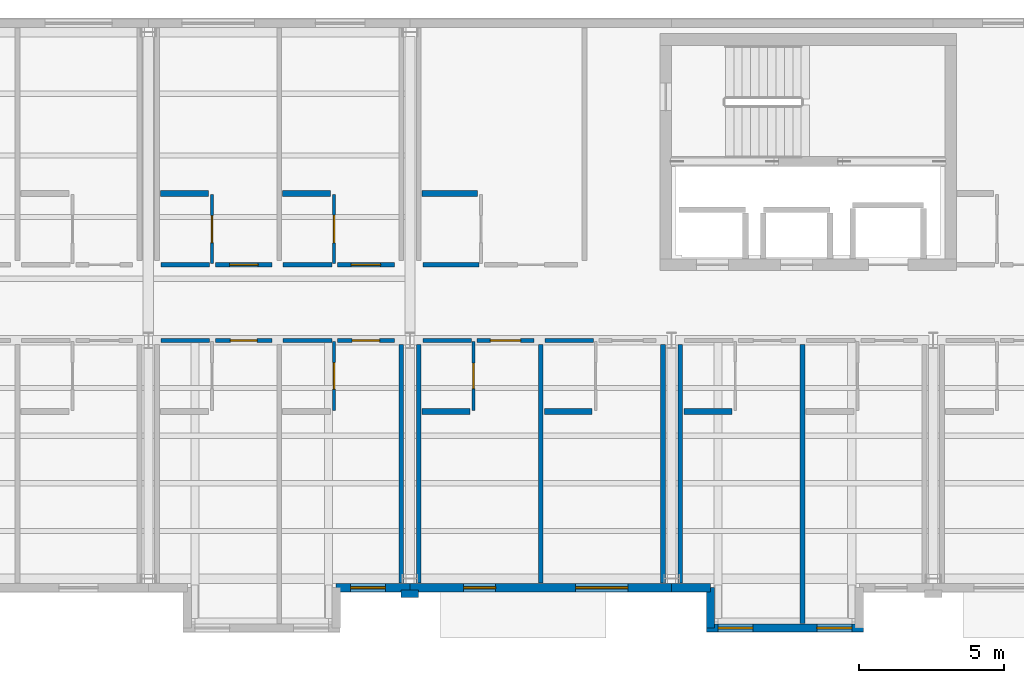
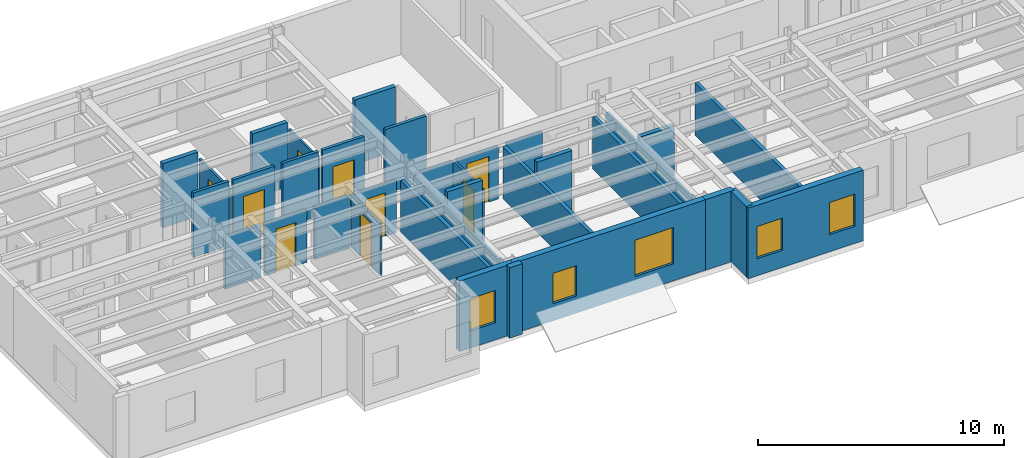
# One storey, part 8 of 19: 34 walls, 9 doors, 5 windows, 14 openings.
"""IFC4 building model written with IfcOpenShell, lengths in metres."""

from ifc_helpers import new_model, si_unit, direction, frame, frame_2d, origin, place, context, subcontext, project, spatial, rectangle, extrude, material, layer, layer_set, type_object, element, fill, save


model = new_model("IFC4")

# Units and contexts
model_context = context("Model", 3, precision=1e-05, world=origin(), true_north=direction((0.0, 1.0)))
body_context = subcontext(model_context, "Body", "Model", "MODEL_VIEW")
ifc_project = project(units=[si_unit("LENGTHUNIT", "METRE"), si_unit("AREAUNIT", "SQUARE_METRE"), si_unit("VOLUMEUNIT", "CUBIC_METRE"), si_unit("PLANEANGLEUNIT", "RADIAN"), si_unit("MASSUNIT", "GRAM", prefix="KILO")], contexts=[model_context])

# Site, building, storey
site_placement = place(None, origin())
site = spatial("IfcSite", under=ifc_project, at=site_placement, CompositionType="ELEMENT")
building_placement = place(site_placement, origin())
building = spatial("IfcBuilding", under=site, at=building_placement, Name="Sollismere Congress Hotel", CompositionType="ELEMENT")
storey_placement = place(building_placement, frame((0.0, 0.0, 34.10009765625)))
storey = spatial("IfcBuildingStorey", under=building, at=storey_placement, Name="L08", CompositionType="ELEMENT", Elevation=34.10009765625)

# Wall, opening, window
ifc_material_1 = material(Name="Colorado Buff Sandstone Rainscreen on Insulated Backup", Category="masonry")
ifc_layer_1 = layer(ifc_material_1, 0.284912109375, Name="Colorado Buff Sandstone Rainscreen on Insulated Backup")
ifc_layer_set_1 = layer_set([ifc_layer_1], Name="Colorado Buff Sandstone Rainscreen on Insulated Backup")
wall_type_1 = type_object("IfcWallType", Name="WL-EXT285", PredefinedType="STANDARD", material=ifc_layer_set_1)
wall_1_placement = place(storey_placement, frame((82.4599609375, -0.31005859375, 0.0), z_axis=(0.0, 0.0, 1.0), x_axis=(1.0, 0.0, 0.0)))
wall_1 = element("IfcWall", 1, at=wall_1_placement, inside=storey, type_object=wall_type_1, Name="Exterior wall EW-L08-814", PredefinedType="STANDARD", context=body_context, shape_type="SweptSolid", body=[
    extrude(rectangle(XDim=2.5400390625, YDim=0.284912109375, at=frame_2d((1.27001953125, 0.0))), origin(), (0.0, 0.0, 1.0), 3.5),
])
opening_1_placement = place(wall_1_placement, frame((0.4951171875, 0.0, 0.85009765625)))
opening_1 = element("IfcOpeningElement", 2, at=opening_1_placement, cuts=wall_1, Name="Opening W-L08-591", PredefinedType="OPENING", context=body_context, shape_type="SweptSolid", body=[
    extrude(rectangle(XDim=1.199951171875, YDim=1.60009765625, at=frame_2d((0.60009765625, 0.800048828125))), frame((0.0, 0.15234375, 0.0), z_axis=(0.0, -1.0, 0.0), x_axis=(1.0, 0.0, 0.0)), (0.0, 0.0, 1.0), 0.304931640625),
])
ifc_material_2 = material(Name="Thermally Broken Bronze Aluminum & Low-E Glass", Category="aluminium")
window_type_1 = type_object("IfcWindowType", Name="WN-P120x160", PartitioningType="SINGLE_PANEL", PredefinedType="WINDOW", material=ifc_material_2)
window_1_placement = place(opening_1_placement, origin())
window_1 = element("IfcWindow", 3, at=window_1_placement, inside=storey, type_object=window_type_1, Name="WIN-W-L08-591", OverallHeight=1.60009765625, OverallWidth=1.199951171875, PartitioningType="SINGLE_PANEL", PredefinedType="WINDOW", context=body_context, shape_type="SweptSolid", body=[
    extrude(rectangle(XDim=1.199951171875, YDim=1.60009765625, at=frame_2d((0.60009765625, 0.800048828125))), frame((0.0, 0.030029296875, 0.0), z_axis=(0.0, -1.0, 0.0), x_axis=(1.0, 0.0, 0.0)), (0.0, 0.0, 1.0), 0.06005859375),
])
fill(opening_1, window_1)

# Wall, openings, windows
wall_2_placement = place(storey_placement, frame((85.0, -0.31005859375, 0.0), z_axis=(0.0, 0.0, 1.0), x_axis=(1.0, 0.0, 0.0)))
wall_2 = element("IfcWall", 4, at=wall_2_placement, inside=storey, type_object=wall_type_1, Name="Exterior wall EW-L08-818", PredefinedType="STANDARD", context=body_context, shape_type="SweptSolid", body=[
    extrude(rectangle(XDim=9.0, YDim=0.284912109375, at=frame_2d((4.5, 0.0))), origin(), (0.0, 0.0, 1.0), 3.5),
])
opening_2_placement = place(wall_2_placement, frame((1.85009765625, 0.0, 0.85009765625)))
opening_2 = element("IfcOpeningElement", 5, at=opening_2_placement, cuts=wall_2, Name="Opening W-L08-594", PredefinedType="OPENING", context=body_context, shape_type="SweptSolid", body=[
    extrude(rectangle(XDim=1.10009765625, YDim=1.5, at=frame_2d((0.550048828125, 0.75))), frame((0.0, 0.15234375, 0.0), z_axis=(0.0, -1.0, 0.0), x_axis=(1.0, 0.0, 0.0)), (0.0, 0.0, 1.0), 0.304931640625),
])
opening_3_placement = place(wall_2_placement, frame((5.699951171875, 0.0, 0.85009765625)))
opening_3 = element("IfcOpeningElement", 6, at=opening_3_placement, cuts=wall_2, Name="Opening W-L08-595", PredefinedType="OPENING", context=body_context, shape_type="SweptSolid", body=[
    extrude(rectangle(XDim=1.800048828125, YDim=1.800048828125, at=frame_2d((0.89990234375, 0.89990234375))), frame((0.0, 0.15234375, 0.0), z_axis=(0.0, -1.0, 0.0), x_axis=(1.0, 0.0, 0.0)), (0.0, 0.0, 1.0), 0.304931640625),
])
window_type_2 = type_object("IfcWindowType", Name="WN-P110x150", PartitioningType="SINGLE_PANEL", PredefinedType="WINDOW", material=ifc_material_2)
window_2_placement = place(opening_2_placement, origin())
window_2 = element("IfcWindow", 7, at=window_2_placement, inside=storey, type_object=window_type_2, Name="WIN-W-L08-594", OverallHeight=1.5, OverallWidth=1.10009765625, PartitioningType="SINGLE_PANEL", PredefinedType="WINDOW", context=body_context, shape_type="SweptSolid", body=[
    extrude(rectangle(XDim=1.10009765625, YDim=1.5, at=frame_2d((0.550048828125, 0.75))), frame((0.0, 0.030029296875, 0.0), z_axis=(0.0, -1.0, 0.0), x_axis=(1.0, 0.0, 0.0)), (0.0, 0.0, 1.0), 0.06005859375),
])
fill(opening_2, window_2)
window_type_3 = type_object("IfcWindowType", Name="WN-P180x180", PartitioningType="SINGLE_PANEL", PredefinedType="WINDOW", material=ifc_material_2)
window_3_placement = place(opening_3_placement, origin())
window_3 = element("IfcWindow", 8, at=window_3_placement, inside=storey, type_object=window_type_3, Name="WIN-W-L08-595", OverallHeight=1.800048828125, OverallWidth=1.800048828125, PartitioningType="SINGLE_PANEL", PredefinedType="WINDOW", context=body_context, shape_type="SweptSolid", body=[
    extrude(rectangle(XDim=1.800048828125, YDim=1.800048828125, at=frame_2d((0.89990234375, 0.89990234375))), frame((0.0, 0.030029296875, 0.0), z_axis=(0.0, -1.0, 0.0), x_axis=(1.0, 0.0, 0.0)), (0.0, 0.0, 1.0), 0.06005859375),
])
fill(opening_3, window_3)

# Wall
wall_3_placement = place(storey_placement, frame((94.0, -0.31005859375, 0.0), z_axis=(0.0, 0.0, 1.0), x_axis=(1.0, 0.0, 0.0)))
element("IfcWall", 9, at=wall_3_placement, inside=storey, type_object=wall_type_1, Name="Exterior wall EW-L08-820", PredefinedType="STANDARD", context=body_context, shape_type="SweptSolid", body=[
    extrude(rectangle(XDim=1.340087890625, YDim=0.284912109375, at=frame_2d((0.669921875, 0.0))), origin(), (0.0, 0.0, 1.0), 3.5),
])

# Wall, openings, windows
wall_4_placement = place(storey_placement, frame((95.199951171875, -1.699951171875, 0.0), z_axis=(0.0, 0.0, 1.0), x_axis=(1.0, 0.0, 0.0)))
wall_4 = element("IfcWall", 10, at=wall_4_placement, inside=storey, type_object=wall_type_1, Name="Exterior wall EW-L08-822", PredefinedType="STANDARD", context=body_context, shape_type="SweptSolid", body=[
    extrude(rectangle(XDim=5.400146484375, YDim=0.284912109375, at=frame_2d((2.7001953125, 0.0))), origin(), (0.0, 0.0, 1.0), 3.5),
])
opening_4_placement = place(wall_4_placement, frame((0.39990234375, 0.0, 0.85009765625)))
opening_4 = element("IfcOpeningElement", 11, at=opening_4_placement, cuts=wall_4, Name="Opening W-L08-597", PredefinedType="OPENING", context=body_context, shape_type="SweptSolid", body=[
    extrude(rectangle(XDim=1.199951171875, YDim=1.60009765625, at=frame_2d((0.60009765625, 0.800048828125))), frame((0.0, 0.15234375, 0.0), z_axis=(0.0, -1.0, 0.0), x_axis=(1.0, 0.0, 0.0)), (0.0, 0.0, 1.0), 0.304931640625),
])
opening_5_placement = place(wall_4_placement, frame((3.800048828125, 0.0, 0.85009765625)))
opening_5 = element("IfcOpeningElement", 12, at=opening_5_placement, cuts=wall_4, Name="Opening W-L08-598", PredefinedType="OPENING", context=body_context, shape_type="SweptSolid", body=[
    extrude(rectangle(XDim=1.199951171875, YDim=1.60009765625, at=frame_2d((0.60009765625, 0.800048828125))), frame((0.0, 0.15234375, 0.0), z_axis=(0.0, -1.0, 0.0), x_axis=(1.0, 0.0, 0.0)), (0.0, 0.0, 1.0), 0.304931640625),
])
window_4_placement = place(opening_4_placement, origin())
window_4 = element("IfcWindow", 13, at=window_4_placement, inside=storey, type_object=window_type_1, Name="WIN-W-L08-597", OverallHeight=1.60009765625, OverallWidth=1.199951171875, PartitioningType="SINGLE_PANEL", PredefinedType="WINDOW", context=body_context, shape_type="SweptSolid", body=[
    extrude(rectangle(XDim=1.199951171875, YDim=1.60009765625, at=frame_2d((0.60009765625, 0.800048828125))), frame((0.0, 0.030029296875, 0.0), z_axis=(0.0, -1.0, 0.0), x_axis=(1.0, 0.0, 0.0)), (0.0, 0.0, 1.0), 0.06005859375),
])
fill(opening_4, window_4)
window_5_placement = place(opening_5_placement, origin())
window_5 = element("IfcWindow", 14, at=window_5_placement, inside=storey, type_object=window_type_1, Name="WIN-W-L08-598", OverallHeight=1.60009765625, OverallWidth=1.199951171875, PartitioningType="SINGLE_PANEL", PredefinedType="WINDOW", context=body_context, shape_type="SweptSolid", body=[
    extrude(rectangle(XDim=1.199951171875, YDim=1.60009765625, at=frame_2d((0.60009765625, 0.800048828125))), frame((0.0, 0.030029296875, 0.0), z_axis=(0.0, -1.0, 0.0), x_axis=(1.0, 0.0, 0.0)), (0.0, 0.0, 1.0), 0.06005859375),
])
fill(opening_5, window_5)

# Walls
wall_5_placement = place(storey_placement, frame((95.340087890625, -0.31005859375, 0.0), z_axis=(0.0, 0.0, 1.0), x_axis=(0.0, -1.0, 0.0)))
element("IfcWall", 15, at=wall_5_placement, inside=storey, type_object=wall_type_1, Name="Exterior wall EW-L08-823", PredefinedType="STANDARD", context=body_context, shape_type="SweptSolid", body=[
    extrude(rectangle(XDim=1.389892578125, YDim=0.284912109375, at=frame_2d((0.69482421875, 0.0))), origin(), (0.0, 0.0, 1.0), 3.5),
])
ifc_material_3 = material(Name="Carved Travertine Pilaster & Frieze Assembly", Category="masonry")
ifc_layer_2 = layer(ifc_material_3, 0.260009765625, Name="Carved Travertine Pilaster & Frieze Assembly")
ifc_layer_set_2 = layer_set([ifc_layer_2], Name="Carved Travertine Pilaster & Frieze Assembly")
wall_type_2 = type_object("IfcWallType", Name="WL-PIL280", PredefinedType="ELEMENTEDWALL", material=ifc_layer_set_2)
wall_6_placement = place(storey_placement, frame((84.699951171875, -0.52001953125, 0.0), z_axis=(0.0, 0.0, 1.0), x_axis=(1.0, 0.0, 0.0)))
element("IfcWall", 16, at=wall_6_placement, inside=storey, type_object=wall_type_2, Name="Exterior wall EW-L08-819", PredefinedType="ELEMENTEDWALL", context=body_context, shape_type="SweptSolid", body=[
    extrude(rectangle(XDim=0.60009765625, YDim=0.260009765625, at=frame_2d((0.300048828125, 0.0))), origin(), (0.0, 0.0, 1.0), 3.5),
])
ifc_material_4 = material(Name="Moisture-Resistant Shaft Gypsum Assembly")
ifc_layer_3 = layer(ifc_material_4, 0.199951171875, Name="Moisture-Resistant Shaft Gypsum Assembly")
ifc_layer_set_3 = layer_set([ifc_layer_3], Name="Moisture-Resistant Shaft Gypsum Assembly")
wall_type_3 = type_object("IfcWallType", Name="WL-PLM200", PredefinedType="PLUMBINGWALL", material=ifc_layer_set_3)
wall_7_placement = place(storey_placement, frame((76.419921875, 13.25, 0.0), z_axis=(0.0, 0.0, 1.0), x_axis=(1.0, 0.0, 0.0)))
element("IfcWall", 17, at=wall_7_placement, inside=storey, type_object=wall_type_3, Name="Interior wall IW-L08-2429", PredefinedType="PLUMBINGWALL", context=body_context, shape_type="SweptSolid", body=[
    extrude(rectangle(XDim=1.650146484375, YDim=0.199951171875, at=frame_2d((0.8251953125, 0.0))), origin(), (0.0, 0.0, 1.0), 3.18994140625),
])
wall_8_placement = place(storey_placement, frame((80.6201171875, 13.25, 0.0), z_axis=(0.0, 0.0, 1.0), x_axis=(1.0, 0.0, 0.0)))
element("IfcWall", 18, at=wall_8_placement, inside=storey, type_object=wall_type_3, Name="Interior wall IW-L08-2434", PredefinedType="PLUMBINGWALL", context=body_context, shape_type="SweptSolid", body=[
    extrude(rectangle(XDim=1.64990234375, YDim=0.199951171875, at=frame_2d((0.824951171875, 0.0))), origin(), (0.0, 0.0, 1.0), 3.18994140625),
])
wall_9_placement = place(storey_placement, frame((85.419921875, 5.75, 0.0), z_axis=(0.0, 0.0, 1.0), x_axis=(1.0, 0.0, 0.0)))
element("IfcWall", 19, at=wall_9_placement, inside=storey, type_object=wall_type_3, Name="Interior wall IW-L08-2440", PredefinedType="PLUMBINGWALL", context=body_context, shape_type="SweptSolid", body=[
    extrude(rectangle(XDim=1.650146484375, YDim=0.199951171875, at=frame_2d((0.8251953125, 0.0))), origin(), (0.0, 0.0, 1.0), 3.18994140625),
])
wall_10_placement = place(storey_placement, frame((89.6201171875, 5.75, 0.0), z_axis=(0.0, 0.0, 1.0), x_axis=(1.0, 0.0, 0.0)))
element("IfcWall", 20, at=wall_10_placement, inside=storey, type_object=wall_type_3, Name="Interior wall IW-L08-2445", PredefinedType="PLUMBINGWALL", context=body_context, shape_type="SweptSolid", body=[
    extrude(rectangle(XDim=1.64990234375, YDim=0.199951171875, at=frame_2d((0.824951171875, 0.0))), origin(), (0.0, 0.0, 1.0), 3.18994140625),
])
wall_11_placement = place(storey_placement, frame((85.419921875, 13.25, 0.0), z_axis=(0.0, 0.0, 1.0), x_axis=(1.0, 0.0, 0.0)))
element("IfcWall", 21, at=wall_11_placement, inside=storey, type_object=wall_type_3, Name="Interior wall IW-L08-2451", PredefinedType="PLUMBINGWALL", context=body_context, shape_type="SweptSolid", body=[
    extrude(rectangle(XDim=1.91015625, YDim=0.199951171875, at=frame_2d((0.955078125, 0.0))), origin(), (0.0, 0.0, 1.0), 3.18994140625),
])
wall_12_placement = place(storey_placement, frame((94.419921875, 5.75, 0.0), z_axis=(0.0, 0.0, 1.0), x_axis=(1.0, 0.0, 0.0)))
element("IfcWall", 22, at=wall_12_placement, inside=storey, type_object=wall_type_3, Name="Interior wall IW-L08-2457", PredefinedType="PLUMBINGWALL", context=body_context, shape_type="SweptSolid", body=[
    extrude(rectangle(XDim=1.650146484375, YDim=0.199951171875, at=frame_2d((0.8251953125, 0.0))), origin(), (0.0, 0.0, 1.0), 2.742919921875),
])

# Wall, opening, door
ifc_material_5 = material(Name="Moisture-Resistant Gypsum Partition")
ifc_layer_4 = layer(ifc_material_5, 0.10009765625, Name="Moisture-Resistant Gypsum Partition")
ifc_layer_set_4 = layer_set([ifc_layer_4], Name="Moisture-Resistant Gypsum Partition")
wall_type_4 = type_object("IfcWallType", Name="WL-PRT100", PredefinedType="PARTITIONING", material=ifc_layer_set_4)
wall_13_placement = place(storey_placement, frame((82.389892578125, 5.7900390625, 0.0), z_axis=(0.0, 0.0, 1.0), x_axis=(0.0, 1.0, 0.0)))
wall_13 = element("IfcWall", 23, at=wall_13_placement, inside=storey, type_object=wall_type_4, Name="Interior wall IW-L08-2422", PredefinedType="PARTITIONING", context=body_context, shape_type="SweptSolid", body=[
    extrude(rectangle(XDim=2.369873046875, YDim=0.10009765625, at=frame_2d((1.18505859375, 0.0))), origin(), (0.0, 0.0, 1.0), 2.602783203125),
])
opening_6_placement = place(wall_13_placement, frame((0.73291015625, 0.0, 0.0)))
opening_6 = element("IfcOpeningElement", 24, at=opening_6_placement, cuts=wall_13, Name="Opening D-L08-0855", PredefinedType="OPENING", context=body_context, shape_type="SweptSolid", body=[
    extrude(rectangle(XDim=0.905029296875, YDim=2.179931640625, at=frame_2d((0.45263671875, 1.08984375))), frame((0.0, 0.06005859375, 0.0), z_axis=(0.0, -1.0, 0.0), x_axis=(1.0, 0.0, 0.0)), (0.0, 0.0, 1.0), 0.1201171875),
])
ifc_material_6 = material(Name="Moisture-Sealed Timber Bathroom Door", Category="wood")
door_type_1 = type_object("IfcDoorType", Name="DR-BT06", OperationType="NOTDEFINED", PredefinedType="DOOR", material=ifc_material_6)
door_1_placement = place(opening_6_placement, origin())
door_1 = element("IfcDoor", 25, at=door_1_placement, inside=storey, type_object=door_type_1, Name="En-suite bathroom door D-L08-0855", OperationType="SINGLE_SWING_RIGHT", OverallHeight=2.179931640625, OverallWidth=0.905029296875, PredefinedType="DOOR", context=body_context, shape_type="SweptSolid", body=[
    extrude(rectangle(XDim=0.905029296875, YDim=2.179931640625, at=frame_2d((0.45263671875, 1.08984375))), frame((0.0, 0.02490234375, 0.0), z_axis=(0.0, -1.0, 0.0), x_axis=(1.0, 0.0, 0.0)), (0.0, 0.0, 1.0), 0.050048828125),
])
fill(opening_6, door_1)

wall_14_placement = place(storey_placement, frame((78.18994140625, 10.840087890625, 0.0), z_axis=(0.0, 0.0, 1.0), x_axis=(0.0, 1.0, 0.0)))
wall_14 = element("IfcWall", 26, at=wall_14_placement, inside=storey, type_object=wall_type_4, Name="Interior wall IW-L08-2428", PredefinedType="PARTITIONING", context=body_context, shape_type="SweptSolid", body=[
    extrude(rectangle(XDim=2.369873046875, YDim=0.10009765625, at=frame_2d((1.18505859375, 0.0))), origin(), (0.0, 0.0, 1.0), 2.7978515625),
])
opening_7_placement = place(wall_14_placement, frame((0.719970703125, 0.0, 0.0)))
opening_7 = element("IfcOpeningElement", 27, at=opening_7_placement, cuts=wall_14, Name="Opening D-L08-0857", PredefinedType="OPENING", context=body_context, shape_type="SweptSolid", body=[
    extrude(rectangle(XDim=0.929931640625, YDim=2.219970703125, at=frame_2d((0.46484375, 1.10986328125))), frame((0.0, 0.06005859375, 0.0), z_axis=(0.0, -1.0, 0.0), x_axis=(1.0, 0.0, 0.0)), (0.0, 0.0, 1.0), 0.1201171875),
])
door_type_2 = type_object("IfcDoorType", Name="DR-BT07", OperationType="NOTDEFINED", PredefinedType="DOOR", material=ifc_material_6)
door_2_placement = place(opening_7_placement, origin())
door_2 = element("IfcDoor", 28, at=door_2_placement, inside=storey, type_object=door_type_2, Name="En-suite bathroom door D-L08-0857", OperationType="SINGLE_SWING_RIGHT", OverallHeight=2.219970703125, OverallWidth=0.929931640625, PredefinedType="DOOR", context=body_context, shape_type="SweptSolid", body=[
    extrude(rectangle(XDim=0.929931640625, YDim=2.219970703125, at=frame_2d((0.46484375, 1.10986328125))), frame((0.0, 0.02490234375, 0.0), z_axis=(0.0, -1.0, 0.0), x_axis=(1.0, 0.0, 0.0)), (0.0, 0.0, 1.0), 0.050048828125),
])
fill(opening_7, door_2)

wall_15_placement = place(storey_placement, frame((82.389892578125, 10.840087890625, 0.0), z_axis=(0.0, 0.0, 1.0), x_axis=(0.0, 1.0, 0.0)))
wall_15 = element("IfcWall", 29, at=wall_15_placement, inside=storey, type_object=wall_type_4, Name="Interior wall IW-L08-2433", PredefinedType="PARTITIONING", context=body_context, shape_type="SweptSolid", body=[
    extrude(rectangle(XDim=2.369873046875, YDim=0.10009765625, at=frame_2d((1.18505859375, 0.0))), origin(), (0.0, 0.0, 1.0), 2.7978515625),
])
opening_8_placement = place(wall_15_placement, frame((0.7080078125, 0.0, 0.0)))
opening_8 = element("IfcOpeningElement", 30, at=opening_8_placement, cuts=wall_15, Name="Opening D-L08-0859", PredefinedType="OPENING", context=body_context, shape_type="SweptSolid", body=[
    extrude(rectangle(XDim=0.955078125, YDim=2.219970703125, at=frame_2d((0.4775390625, 1.10986328125))), frame((0.0, 0.06005859375, 0.0), z_axis=(0.0, -1.0, 0.0), x_axis=(1.0, 0.0, 0.0)), (0.0, 0.0, 1.0), 0.1201171875),
])
door_type_3 = type_object("IfcDoorType", Name="DR-BT08", OperationType="NOTDEFINED", PredefinedType="DOOR", material=ifc_material_6)
door_3_placement = place(opening_8_placement, origin())
door_3 = element("IfcDoor", 31, at=door_3_placement, inside=storey, type_object=door_type_3, Name="En-suite bathroom door D-L08-0859", OperationType="SINGLE_SWING_RIGHT", OverallHeight=2.219970703125, OverallWidth=0.955078125, PredefinedType="DOOR", context=body_context, shape_type="SweptSolid", body=[
    extrude(rectangle(XDim=0.955078125, YDim=2.219970703125, at=frame_2d((0.4775390625, 1.10986328125))), frame((0.0, 0.02490234375, 0.0), z_axis=(0.0, -1.0, 0.0), x_axis=(1.0, 0.0, 0.0)), (0.0, 0.0, 1.0), 0.050048828125),
])
fill(opening_8, door_3)

wall_16_placement = place(storey_placement, frame((87.18994140625, 5.7900390625, 0.0), z_axis=(0.0, 0.0, 1.0), x_axis=(0.0, 1.0, 0.0)))
wall_16 = element("IfcWall", 32, at=wall_16_placement, inside=storey, type_object=wall_type_4, Name="Interior wall IW-L08-2439", PredefinedType="PARTITIONING", context=body_context, shape_type="SweptSolid", body=[
    extrude(rectangle(XDim=2.369873046875, YDim=0.10009765625, at=frame_2d((1.18505859375, 0.0))), origin(), (0.0, 0.0, 1.0), 2.602783203125),
])
opening_9_placement = place(wall_16_placement, frame((0.7451171875, 0.0, 0.0)))
opening_9 = element("IfcOpeningElement", 33, at=opening_9_placement, cuts=wall_16, Name="Opening D-L08-0861", PredefinedType="OPENING", context=body_context, shape_type="SweptSolid", body=[
    extrude(rectangle(XDim=0.8798828125, YDim=2.10009765625, at=frame_2d((0.43994140625, 1.050048828125))), frame((0.0, 0.06005859375, 0.0), z_axis=(0.0, -1.0, 0.0), x_axis=(1.0, 0.0, 0.0)), (0.0, 0.0, 1.0), 0.1201171875),
])
door_type_4 = type_object("IfcDoorType", Name="DR-BT01", OperationType="NOTDEFINED", PredefinedType="DOOR", material=ifc_material_6)
door_4_placement = place(opening_9_placement, origin())
door_4 = element("IfcDoor", 34, at=door_4_placement, inside=storey, type_object=door_type_4, Name="En-suite bathroom door D-L08-0861", OperationType="SINGLE_SWING_RIGHT", OverallHeight=2.10009765625, OverallWidth=0.8798828125, PredefinedType="DOOR", context=body_context, shape_type="SweptSolid", body=[
    extrude(rectangle(XDim=0.8798828125, YDim=2.10009765625, at=frame_2d((0.43994140625, 1.050048828125))), frame((0.0, 0.02490234375, 0.0), z_axis=(0.0, -1.0, 0.0), x_axis=(1.0, 0.0, 0.0)), (0.0, 0.0, 1.0), 0.050048828125),
])
fill(opening_9, door_4)

# Wall
ifc_material_7 = material(Name="Fire-Rated Gypsum Partition")
ifc_layer_5 = layer(ifc_material_7, 0.139892578125, Name="Fire-Rated Gypsum Partition")
ifc_layer_set_5 = layer_set([ifc_layer_5], Name="Fire-Rated Gypsum Partition")
wall_type_5 = type_object("IfcWallType", Name="WL-PRT140R", PredefinedType="PARTITIONING", material=ifc_layer_set_5)
wall_17_placement = place(storey_placement, frame((76.43994140625, 8.199951171875, 0.0), z_axis=(0.0, 0.0, 1.0), x_axis=(1.0, 0.0, 0.0)))
element("IfcWall", 35, at=wall_17_placement, inside=storey, type_object=wall_type_5, Name="Interior wall IW-L08-2413", PredefinedType="PARTITIONING", context=body_context, shape_type="SweptSolid", body=[
    extrude(rectangle(XDim=1.670166015625, YDim=0.139892578125, at=frame_2d((0.8349609375, 0.0))), origin(), (0.0, 0.0, 1.0), 2.602783203125),
])

# Wall, opening, door
wall_18_placement = place(storey_placement, frame((78.31005859375, 8.199951171875, 0.0), z_axis=(0.0, 0.0, 1.0), x_axis=(1.0, 0.0, 0.0)))
wall_18 = element("IfcWall", 36, at=wall_18_placement, inside=storey, type_object=wall_type_5, Name="Interior wall IW-L08-2414", PredefinedType="PARTITIONING", context=body_context, shape_type="SweptSolid", body=[
    extrude(rectangle(XDim=1.949951171875, YDim=0.139892578125, at=frame_2d((0.97509765625, 0.0))), origin(), (0.0, 0.0, 1.0), 2.602783203125),
])
opening_10_placement = place(wall_18_placement, frame((0.514892578125, 0.0, 0.0)))
opening_10 = element("IfcOpeningElement", 37, at=opening_10_placement, cuts=wall_18, Name="Opening D-L08-0852", PredefinedType="OPENING", context=body_context, shape_type="SweptSolid", body=[
    extrude(rectangle(XDim=0.919921875, YDim=2.14990234375, at=frame_2d((0.4599609375, 1.074951171875))), frame((0.0, 0.079833984375, 0.0), z_axis=(0.0, -1.0, 0.0), x_axis=(1.0, 0.0, 0.0)), (0.0, 0.0, 1.0), 0.159912109375),
])
ifc_material_8 = material(Name="Solid-Core Acoustic Walnut Guestroom Entry Door")
door_type_5 = type_object("IfcDoorType", Name="DR-KY01", OperationType="NOTDEFINED", PredefinedType="DOOR", material=ifc_material_8)
door_5_placement = place(opening_10_placement, origin())
door_5 = element("IfcDoor", 38, at=door_5_placement, inside=storey, type_object=door_type_5, Name="Hotel room entry door D-L08-0852", OperationType="SINGLE_SWING_LEFT", OverallHeight=2.14990234375, OverallWidth=0.919921875, PredefinedType="DOOR", context=body_context, shape_type="SweptSolid", body=[
    extrude(rectangle(XDim=0.919921875, YDim=2.14990234375, at=frame_2d((0.4599609375, 1.074951171875))), frame((0.0, 0.02490234375, 0.0), z_axis=(0.0, -1.0, 0.0), x_axis=(1.0, 0.0, 0.0)), (0.0, 0.0, 1.0), 0.050048828125),
])
fill(opening_10, door_5)

# Wall
wall_19_placement = place(storey_placement, frame((80.639892578125, 8.199951171875, 0.0), z_axis=(0.0, 0.0, 1.0), x_axis=(1.0, 0.0, 0.0)))
element("IfcWall", 39, at=wall_19_placement, inside=storey, type_object=wall_type_5, Name="Interior wall IW-L08-2419", PredefinedType="PARTITIONING", context=body_context, shape_type="SweptSolid", body=[
    extrude(rectangle(XDim=1.670166015625, YDim=0.139892578125, at=frame_2d((0.8349609375, 0.0))), origin(), (0.0, 0.0, 1.0), 2.602783203125),
])

# Wall, opening, door
wall_20_placement = place(storey_placement, frame((82.510009765625, 8.199951171875, 0.0), z_axis=(0.0, 0.0, 1.0), x_axis=(1.0, 0.0, 0.0)))
wall_20 = element("IfcWall", 40, at=wall_20_placement, inside=storey, type_object=wall_type_5, Name="Interior wall IW-L08-2420", PredefinedType="PARTITIONING", context=body_context, shape_type="SweptSolid", body=[
    extrude(rectangle(XDim=1.949951171875, YDim=0.139892578125, at=frame_2d((0.97509765625, 0.0))), origin(), (0.0, 0.0, 1.0), 2.602783203125),
])
opening_11_placement = place(wall_20_placement, frame((0.5, 0.0, 0.0)))
opening_11 = element("IfcOpeningElement", 41, at=opening_11_placement, cuts=wall_20, Name="Opening D-L08-0854", PredefinedType="OPENING", context=body_context, shape_type="SweptSolid", body=[
    extrude(rectangle(XDim=0.949951171875, YDim=2.14990234375, at=frame_2d((0.47509765625, 1.074951171875))), frame((0.0, 0.079833984375, 0.0), z_axis=(0.0, -1.0, 0.0), x_axis=(1.0, 0.0, 0.0)), (0.0, 0.0, 1.0), 0.159912109375),
])
door_type_6 = type_object("IfcDoorType", Name="DR-KY02", OperationType="NOTDEFINED", PredefinedType="DOOR", material=ifc_material_8)
door_6_placement = place(opening_11_placement, origin())
door_6 = element("IfcDoor", 42, at=door_6_placement, inside=storey, type_object=door_type_6, Name="Hotel room entry door D-L08-0854", OperationType="SINGLE_SWING_LEFT", OverallHeight=2.14990234375, OverallWidth=0.949951171875, PredefinedType="DOOR", context=body_context, shape_type="SweptSolid", body=[
    extrude(rectangle(XDim=0.949951171875, YDim=2.14990234375, at=frame_2d((0.47509765625, 1.074951171875))), frame((0.0, 0.02490234375, 0.0), z_axis=(0.0, -1.0, 0.0), x_axis=(1.0, 0.0, 0.0)), (0.0, 0.0, 1.0), 0.050048828125),
])
fill(opening_11, door_6)

# Wall
wall_21_placement = place(storey_placement, frame((76.43994140625, 10.800048828125, 0.0), z_axis=(0.0, 0.0, 1.0), x_axis=(1.0, 0.0, 0.0)))
element("IfcWall", 43, at=wall_21_placement, inside=storey, type_object=wall_type_5, Name="Interior wall IW-L08-2424", PredefinedType="PARTITIONING", context=body_context, shape_type="SweptSolid", body=[
    extrude(rectangle(XDim=1.670166015625, YDim=0.139892578125, at=frame_2d((0.8349609375, 0.0))), origin(), (0.0, 0.0, 1.0), 3.18994140625),
])

# Wall, opening, door
wall_22_placement = place(storey_placement, frame((78.31005859375, 10.800048828125, 0.0), z_axis=(0.0, 0.0, 1.0), x_axis=(1.0, 0.0, 0.0)))
wall_22 = element("IfcWall", 44, at=wall_22_placement, inside=storey, type_object=wall_type_5, Name="Interior wall IW-L08-2425", PredefinedType="PARTITIONING", context=body_context, shape_type="SweptSolid", body=[
    extrude(rectangle(XDim=1.949951171875, YDim=0.139892578125, at=frame_2d((0.97509765625, 0.0))), origin(), (0.0, 0.0, 1.0), 3.18994140625),
])
opening_12_placement = place(wall_22_placement, frame((0.485107421875, 0.0, 0.0)))
opening_12 = element("IfcOpeningElement", 45, at=opening_12_placement, cuts=wall_22, Name="Opening D-L08-0856", PredefinedType="OPENING", context=body_context, shape_type="SweptSolid", body=[
    extrude(rectangle(XDim=0.97998046875, YDim=2.199951171875, at=frame_2d((0.489990234375, 1.10009765625))), frame((0.0, 0.079833984375, 0.0), z_axis=(0.0, -1.0, 0.0), x_axis=(1.0, 0.0, 0.0)), (0.0, 0.0, 1.0), 0.159912109375),
])
door_type_7 = type_object("IfcDoorType", Name="DR-KY03", OperationType="NOTDEFINED", PredefinedType="DOOR", material=ifc_material_8)
door_7_placement = place(opening_12_placement, origin())
door_7 = element("IfcDoor", 46, at=door_7_placement, inside=storey, type_object=door_type_7, Name="Hotel room entry door D-L08-0856", OperationType="SINGLE_SWING_LEFT", OverallHeight=2.199951171875, OverallWidth=0.97998046875, PredefinedType="DOOR", context=body_context, shape_type="SweptSolid", body=[
    extrude(rectangle(XDim=0.97998046875, YDim=2.199951171875, at=frame_2d((0.489990234375, 1.10009765625))), frame((0.0, 0.02490234375, 0.0), z_axis=(0.0, -1.0, 0.0), x_axis=(1.0, 0.0, 0.0)), (0.0, 0.0, 1.0), 0.050048828125),
])
fill(opening_12, door_7)

# Wall
wall_23_placement = place(storey_placement, frame((80.639892578125, 10.800048828125, 0.0), z_axis=(0.0, 0.0, 1.0), x_axis=(1.0, 0.0, 0.0)))
element("IfcWall", 47, at=wall_23_placement, inside=storey, type_object=wall_type_5, Name="Interior wall IW-L08-2430", PredefinedType="PARTITIONING", context=body_context, shape_type="SweptSolid", body=[
    extrude(rectangle(XDim=1.670166015625, YDim=0.139892578125, at=frame_2d((0.8349609375, 0.0))), origin(), (0.0, 0.0, 1.0), 3.18994140625),
])

# Wall, opening, door
wall_24_placement = place(storey_placement, frame((82.510009765625, 10.800048828125, 0.0), z_axis=(0.0, 0.0, 1.0), x_axis=(1.0, 0.0, 0.0)))
wall_24 = element("IfcWall", 48, at=wall_24_placement, inside=storey, type_object=wall_type_5, Name="Interior wall IW-L08-2431", PredefinedType="PARTITIONING", context=body_context, shape_type="SweptSolid", body=[
    extrude(rectangle(XDim=1.949951171875, YDim=0.139892578125, at=frame_2d((0.97509765625, 0.0))), origin(), (0.0, 0.0, 1.0), 3.18994140625),
])
opening_13_placement = place(wall_24_placement, frame((0.469970703125, 0.0, 0.0)))
opening_13 = element("IfcOpeningElement", 49, at=opening_13_placement, cuts=wall_24, Name="Opening D-L08-0858", PredefinedType="OPENING", context=body_context, shape_type="SweptSolid", body=[
    extrude(rectangle(XDim=1.010009765625, YDim=2.199951171875, at=frame_2d((0.5048828125, 1.10009765625))), frame((0.0, 0.079833984375, 0.0), z_axis=(0.0, -1.0, 0.0), x_axis=(1.0, 0.0, 0.0)), (0.0, 0.0, 1.0), 0.159912109375),
])
door_type_8 = type_object("IfcDoorType", Name="DR-KY04", OperationType="NOTDEFINED", PredefinedType="DOOR", material=ifc_material_8)
door_8_placement = place(opening_13_placement, origin())
door_8 = element("IfcDoor", 50, at=door_8_placement, inside=storey, type_object=door_type_8, Name="Hotel room entry door D-L08-0858", OperationType="SINGLE_SWING_LEFT", OverallHeight=2.199951171875, OverallWidth=1.010009765625, PredefinedType="DOOR", context=body_context, shape_type="SweptSolid", body=[
    extrude(rectangle(XDim=1.010009765625, YDim=2.199951171875, at=frame_2d((0.5048828125, 1.10009765625))), frame((0.0, 0.02490234375, 0.0), z_axis=(0.0, -1.0, 0.0), x_axis=(1.0, 0.0, 0.0)), (0.0, 0.0, 1.0), 0.050048828125),
])
fill(opening_13, door_8)

# Wall
wall_25_placement = place(storey_placement, frame((85.43994140625, 8.199951171875, 0.0), z_axis=(0.0, 0.0, 1.0), x_axis=(1.0, 0.0, 0.0)))
element("IfcWall", 51, at=wall_25_placement, inside=storey, type_object=wall_type_5, Name="Interior wall IW-L08-2435", PredefinedType="PARTITIONING", context=body_context, shape_type="SweptSolid", body=[
    extrude(rectangle(XDim=1.670166015625, YDim=0.139892578125, at=frame_2d((0.8349609375, 0.0))), origin(), (0.0, 0.0, 1.0), 2.602783203125),
])

# Wall, opening, door
wall_26_placement = place(storey_placement, frame((87.31005859375, 8.199951171875, 0.0), z_axis=(0.0, 0.0, 1.0), x_axis=(1.0, 0.0, 0.0)))
wall_26 = element("IfcWall", 52, at=wall_26_placement, inside=storey, type_object=wall_type_5, Name="Interior wall IW-L08-2436", PredefinedType="PARTITIONING", context=body_context, shape_type="SweptSolid", body=[
    extrude(rectangle(XDim=1.949951171875, YDim=0.139892578125, at=frame_2d((0.97509765625, 0.0))), origin(), (0.0, 0.0, 1.0), 2.602783203125),
])
opening_14_placement = place(wall_26_placement, frame((0.455078125, 0.0, 0.0)))
opening_14 = element("IfcOpeningElement", 53, at=opening_14_placement, cuts=wall_26, Name="Opening D-L08-0860", PredefinedType="OPENING", context=body_context, shape_type="SweptSolid", body=[
    extrude(rectangle(XDim=1.0400390625, YDim=2.25, at=frame_2d((0.52001953125, 1.125))), frame((0.0, 0.079833984375, 0.0), z_axis=(0.0, -1.0, 0.0), x_axis=(1.0, 0.0, 0.0)), (0.0, 0.0, 1.0), 0.159912109375),
])
door_type_9 = type_object("IfcDoorType", Name="DR-KY05", OperationType="NOTDEFINED", PredefinedType="DOOR", material=ifc_material_8)
door_9_placement = place(opening_14_placement, origin())
door_9 = element("IfcDoor", 54, at=door_9_placement, inside=storey, type_object=door_type_9, Name="Hotel room entry door D-L08-0860", OperationType="SINGLE_SWING_LEFT", OverallHeight=2.25, OverallWidth=1.0400390625, PredefinedType="DOOR", context=body_context, shape_type="SweptSolid", body=[
    extrude(rectangle(XDim=1.0400390625, YDim=2.25, at=frame_2d((0.52001953125, 1.125))), frame((0.0, 0.02490234375, 0.0), z_axis=(0.0, -1.0, 0.0), x_axis=(1.0, 0.0, 0.0)), (0.0, 0.0, 1.0), 0.050048828125),
])
fill(opening_14, door_9)

# Walls
wall_27_placement = place(storey_placement, frame((89.639892578125, 8.199951171875, 0.0), z_axis=(0.0, 0.0, 1.0), x_axis=(1.0, 0.0, 0.0)))
element("IfcWall", 55, at=wall_27_placement, inside=storey, type_object=wall_type_5, Name="Interior wall IW-L08-2441", PredefinedType="PARTITIONING", context=body_context, shape_type="SweptSolid", body=[
    extrude(rectangle(XDim=1.670166015625, YDim=0.139892578125, at=frame_2d((0.8349609375, 0.0))), origin(), (0.0, 0.0, 1.0), 2.602783203125),
])
wall_28_placement = place(storey_placement, frame((85.43994140625, 10.800048828125, 0.0), z_axis=(0.0, 0.0, 1.0), x_axis=(1.0, 0.0, 0.0)))
element("IfcWall", 56, at=wall_28_placement, inside=storey, type_object=wall_type_5, Name="Interior wall IW-L08-2446", PredefinedType="PARTITIONING", context=body_context, shape_type="SweptSolid", body=[
    extrude(rectangle(XDim=1.93017578125, YDim=0.139892578125, at=frame_2d((0.965087890625, 0.0))), origin(), (0.0, 0.0, 1.0), 3.18994140625),
])
ifc_material_9 = material(Name="Fire-Rated Acoustic Gypsum Partition")
ifc_layer_6 = layer(ifc_material_9, 0.1650390625, Name="Fire-Rated Acoustic Gypsum Partition")
ifc_layer_set_6 = layer_set([ifc_layer_6], Name="Fire-Rated Acoustic Gypsum Partition")
wall_type_6 = type_object("IfcWallType", Name="WL-PRT165R", PredefinedType="PARTITIONING", material=ifc_layer_set_6)
for number, where, z_axis, x_axis, name in (
    (57, (84.699951171875, -0.152587890625, 0.0), (0.0, 0.0, 1.0), (0.0, 1.0, 0.0), "Interior wall IW-L08-2421"),
    (58, (85.300048828125, -0.152587890625, 0.0), (0.0, 0.0, 1.0), (0.0, 1.0, 0.0), "Interior wall IW-L08-2437"),
    (59, (89.5, -0.152587890625, 0.0), (0.0, 0.0, 1.0), (0.0, 1.0, 0.0), "Interior wall IW-L08-2438"),
    (60, (93.699951171875, -0.152587890625, 0.0), (0.0, 0.0, 1.0), (0.0, 1.0, 0.0), "Interior wall IW-L08-2443"),
    (61, (94.300048828125, -0.152587890625, 0.0), (0.0, 0.0, 1.0), (0.0, 1.0, 0.0), "Interior wall IW-L08-2454"),
):
    element("IfcWall", number, at=place(storey_placement, frame(where, z_axis=z_axis, x_axis=x_axis)), inside=storey, type_object=wall_type_6, Name=name, PredefinedType="PARTITIONING", context=body_context, shape_type="SweptSolid", body=[
        extrude(rectangle(XDim=8.212646484375, YDim=0.1650390625, at=frame_2d((4.1064453125, 0.0))), origin(), (0.0, 0.0, 1.0), 2.579833984375),
    ])
wall_29_placement = place(storey_placement, frame((98.5, -1.54248046875, 0.0), z_axis=(0.0, 0.0, 1.0), x_axis=(0.0, 1.0, 0.0)))
element("IfcWall", 62, at=wall_29_placement, inside=storey, type_object=wall_type_6, Name="Interior wall IW-L08-2455", PredefinedType="PARTITIONING", context=body_context, shape_type="SweptSolid", body=[
    extrude(rectangle(XDim=9.6025390625, YDim=0.1650390625, at=frame_2d((4.80126953125, 0.0))), origin(), (0.0, 0.0, 1.0), 2.579833984375),
])

save(model, "model.ifc")
